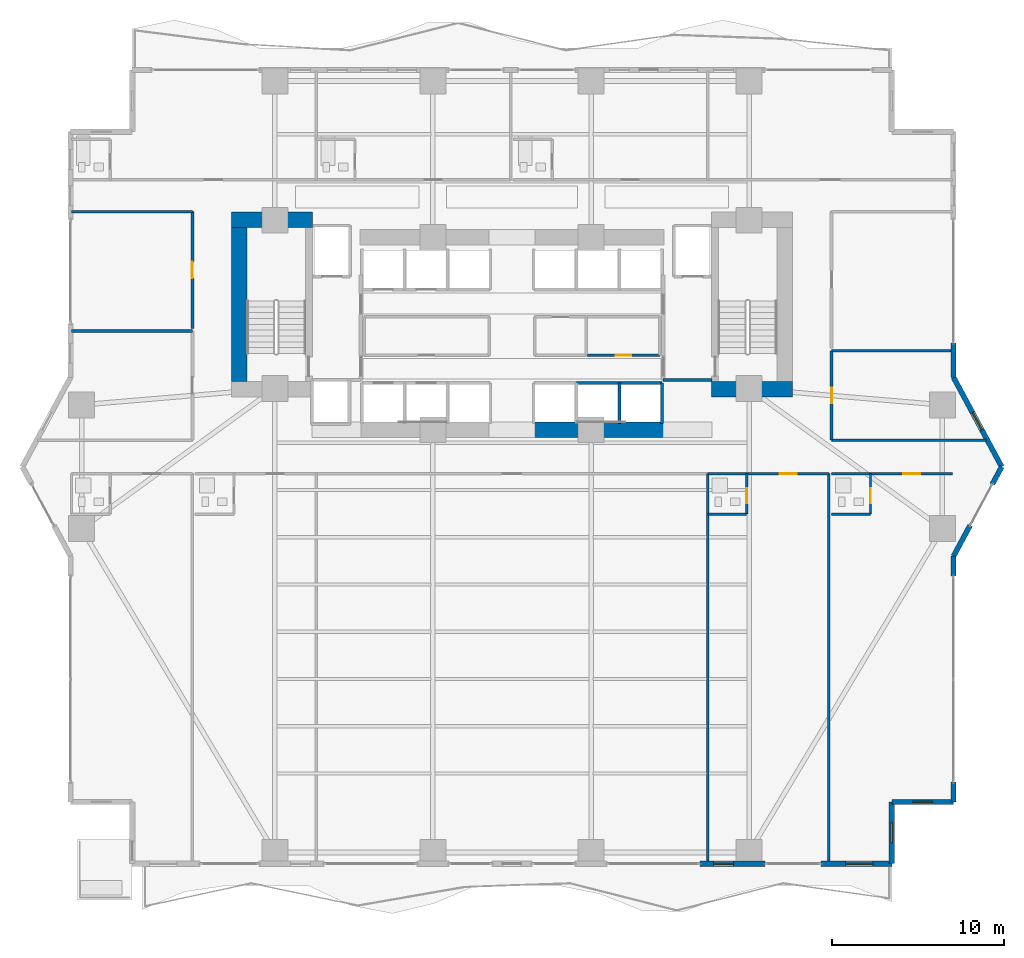
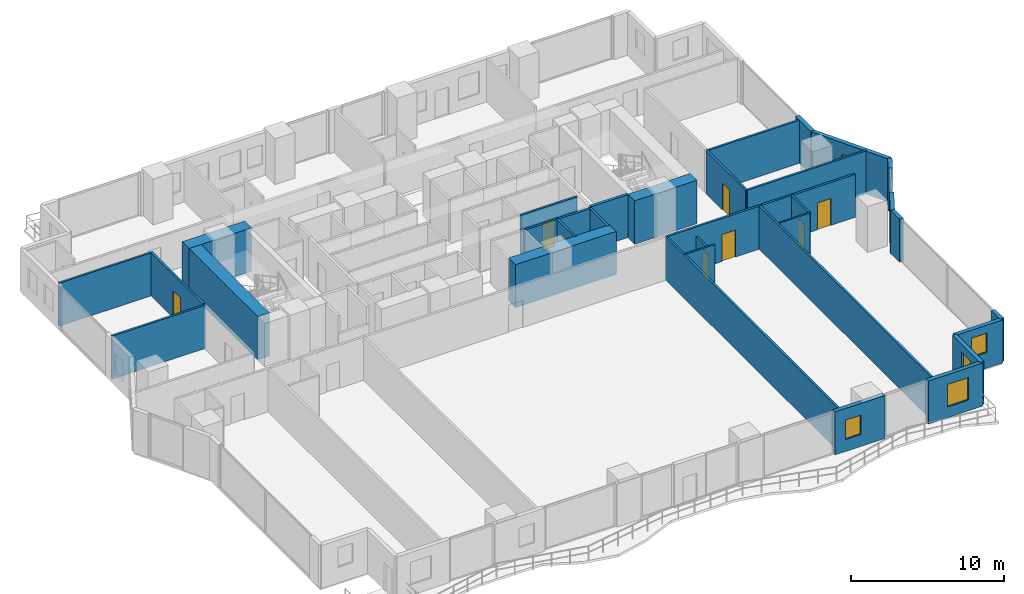
# One storey, part 20 of 28: 34 walls, 7 doors, 5 windows, 12 openings.
"""IFC4 building model written with IfcOpenShell, lengths in metres."""

from ifc_helpers import new_model, si_unit, direction, frame, frame_2d, origin, place, context, subcontext, project, spatial, rectangle, extrude, material, layer, layer_set, type_object, element, fill, save


model = new_model("IFC4")

# Units and contexts
model_context = context("Model", 3, precision=1e-05, world=origin(), true_north=direction((0.0, 1.0)))
body_context = subcontext(model_context, "Body", "Model", "MODEL_VIEW")
ifc_project = project(units=[si_unit("LENGTHUNIT", "METRE"), si_unit("AREAUNIT", "SQUARE_METRE"), si_unit("VOLUMEUNIT", "CUBIC_METRE"), si_unit("PLANEANGLEUNIT", "RADIAN"), si_unit("MASSUNIT", "GRAM", prefix="KILO")], contexts=[model_context])

# Site, building, storey
site_placement = place(None, origin())
site = spatial("IfcSite", under=ifc_project, at=site_placement, CompositionType="ELEMENT")
building_placement = place(site_placement, origin())
building = spatial("IfcBuilding", under=site, at=building_placement, Name="Zuhayl Quay Hotel", CompositionType="ELEMENT")
storey_placement = place(building_placement, frame((0.0, 0.0, 75.050048828125)))
storey = spatial("IfcBuildingStorey", under=building, at=storey_placement, Name="L18", CompositionType="ELEMENT", Elevation=75.050048828125)

# Walls
ifc_material_1 = material(Name="Concrete C70/85", Category="concrete")
ifc_layer_1 = layer(ifc_material_1, 0.89990234375, Name="Concrete C70/85", Category="concrete")
ifc_layer_set_1 = layer_set([ifc_layer_1], Name="Concrete C70/85")
wall_type_1 = type_object("IfcWallType", Name="WL_CORE_900", PredefinedType="SHEAR", material=ifc_layer_set_1)
wall_1_placement = place(storey_placement, frame((-16.31005859375, 14.3798828125, 0.0), z_axis=(0.0, 0.0, 1.0), x_axis=(1.0, 0.0, 0.0)))
element("IfcWall", 1, at=wall_1_placement, inside=storey, type_object=wall_type_1, Name="L18 Core Shear Wall CW_NW", PredefinedType="SHEAR", context=body_context, shape_type="SweptSolid", body=[
    extrude(rectangle(XDim=4.7099609375, YDim=0.89990234375, at=frame_2d((2.35498046875, 0.0))), origin(), (0.0, 0.0, 1.0), 3.4599609375),
])
wall_2_placement = place(storey_placement, frame((-15.860107421875, 4.969970703125, 0.0), z_axis=(0.0, 0.0, 1.0), x_axis=(0.0, 1.0, 0.0)))
element("IfcWall", 2, at=wall_2_placement, inside=storey, type_object=wall_type_1, Name="L18 Core Shear Wall CW_W", PredefinedType="SHEAR", context=body_context, shape_type="SweptSolid", body=[
    extrude(rectangle(XDim=8.9599609375, YDim=0.89990234375, at=frame_2d((4.47998046875, 0.0))), origin(), (0.0, 0.0, 1.0), 3.4599609375),
])
wall_3_placement = place(storey_placement, frame((11.60009765625, 4.52001953125, 0.0), z_axis=(0.0, 0.0, 1.0), x_axis=(1.0, 0.0, 0.0)))
element("IfcWall", 3, at=wall_3_placement, inside=storey, type_object=wall_type_1, Name="L18 Core Shear Wall CW_SE", PredefinedType="SHEAR", context=body_context, shape_type="SweptSolid", body=[
    extrude(rectangle(XDim=4.7099609375, YDim=0.89990234375, at=frame_2d((2.35498046875, 0.0))), origin(), (0.0, 0.0, 1.0), 3.4599609375),
])
wall_4_placement = place(storey_placement, frame((1.25, 2.14990234375, 0.0), z_axis=(0.0, 0.0, 1.0), x_axis=(1.0, 0.0, 0.0)))
element("IfcWall", 4, at=wall_4_placement, inside=storey, type_object=wall_type_1, Name="L18 Core Shear Wall CW_SC_E", PredefinedType="SHEAR", context=body_context, shape_type="SweptSolid", body=[
    extrude(rectangle(XDim=7.60009765625, YDim=0.89990234375, at=frame_2d((3.800048828125, 0.0))), origin(), (0.0, 0.0, 1.0), 3.429931640625),
])
ifc_material_2 = material(Name="Precast concrete C45/55", Category="concrete")
ifc_layer_2 = layer(ifc_material_2, 0.300048828125, Name="Precast concrete C45/55", Category="concrete")
ifc_layer_set_2 = layer_set([ifc_layer_2], Name="Precast concrete C45/55")
wall_type_2 = type_object("IfcWallType", Name="WL_EXT_300", PredefinedType="STANDARD", material=ifc_layer_set_2)
wall_5_placement = place(storey_placement, frame((25.699951171875, 7.199951171875, 0.0), z_axis=(0.0, 0.0, 1.0), x_axis=(0.0, -1.0, 0.0)))
element("IfcWall", 5, at=wall_5_placement, inside=storey, type_object=wall_type_2, Name="L18 Exterior Precast Wall ENV_L18_E11_EW2", PredefinedType="STANDARD", context=body_context, shape_type="SweptSolid", body=[
    extrude(rectangle(XDim=2.0, YDim=0.300048828125, at=frame_2d((1.0, 0.0))), origin(), (0.0, 0.0, 1.0), 3.429931640625),
])

# Wall, opening, window
wall_6_placement = place(storey_placement, frame((25.699951171875, 5.199951171875, 0.0), z_axis=(0.0, 0.0, 1.0), x_axis=(0.474109683532, -0.880465790352, 0.0)))
wall_6 = element("IfcWall", 6, at=wall_6_placement, inside=storey, type_object=wall_type_2, Name="L18 Exterior Precast Wall ENV_L18_E12_EW1", PredefinedType="STANDARD", context=body_context, shape_type="SweptSolid", body=[
    extrude(rectangle(XDim=5.906005859375, YDim=0.300048828125, at=frame_2d((2.953125, 0.0))), origin(), (0.0, 0.0, 1.0), 3.429931640625),
])
opening_1_placement = place(wall_6_placement, frame((2.32373046875, 0.0, 0.949951171875)))
opening_1 = element("IfcOpeningElement", 7, at=opening_1_placement, cuts=wall_6, Name="Opening W01N", PredefinedType="OPENING", context=body_context, shape_type="SweptSolid", body=[
    extrude(rectangle(XDim=1.14990234375, YDim=1.550048828125, at=frame_2d((0.574951171875, 0.77490234375))), frame((0.0, 0.159912109375, 0.0), z_axis=(0.0, -1.0, 0.0), x_axis=(1.0, 0.0, 0.0)), (0.0, 0.0, 1.0), 0.320068359375),
])
ifc_material_3 = material(Name="Dark Ceramic-Fritted Solar Glass", Category="glass")
window_type_1 = type_object("IfcWindowType", Name="WN_NOTCH_1350", PartitioningType="SINGLE_PANEL", PredefinedType="WINDOW", material=ifc_material_3)
window_1_placement = place(opening_1_placement, origin())
window_1 = element("IfcWindow", 8, at=window_1_placement, inside=storey, type_object=window_type_1, Name="L18 Operable Facade Window 1-1", OverallHeight=1.550048828125, OverallWidth=1.14990234375, PartitioningType="SINGLE_PANEL", PredefinedType="WINDOW", context=body_context, shape_type="SweptSolid", body=[
    extrude(rectangle(XDim=1.14990234375, YDim=1.550048828125, at=frame_2d((0.574951171875, 0.77490234375))), frame((0.0, 0.030029296875, 0.0), z_axis=(0.0, -1.0, 0.0), x_axis=(1.0, 0.0, 0.0)), (0.0, 0.0, 1.0), 0.06005859375),
])
fill(opening_1, window_1)

# Walls
wall_7_placement = place(storey_placement, frame((28.5, 0.0, 0.0), z_axis=(0.0, 0.0, 1.0), x_axis=(-0.474099823035, -0.880471099922, 0.0)))
element("IfcWall", 9, at=wall_7_placement, inside=storey, type_object=wall_type_2, Name="L18 Exterior Precast Wall ENV_L18_E13_EW1", PredefinedType="STANDARD", context=body_context, shape_type="SweptSolid", body=[
    extrude(rectangle(XDim=1.14990234375, YDim=0.300048828125, at=frame_2d((0.574951171875, 0.0))), origin(), (0.0, 0.0, 1.0), 3.429931640625),
])
wall_8_placement = place(storey_placement, frame((26.657958984375, -3.4208984375, 0.0), z_axis=(0.0, 0.0, 1.0), x_axis=(-0.474121438562, -0.88045946045, 0.0)))
element("IfcWall", 10, at=wall_8_placement, inside=storey, type_object=wall_type_2, Name="L18 Exterior Precast Wall ENV_L18_E13_EW2", PredefinedType="STANDARD", context=body_context, shape_type="SweptSolid", body=[
    extrude(rectangle(XDim=2.0205078125, YDim=0.300048828125, at=frame_2d((1.01025390625, 0.0))), origin(), (0.0, 0.0, 1.0), 3.429931640625),
])
wall_9_placement = place(storey_placement, frame((25.699951171875, -5.199951171875, 0.0), z_axis=(0.0, 0.0, 1.0), x_axis=(0.0, -1.0, 0.0)))
element("IfcWall", 11, at=wall_9_placement, inside=storey, type_object=wall_type_2, Name="L18 Exterior Precast Wall ENV_L18_E14_EW1", PredefinedType="STANDARD", context=body_context, shape_type="SweptSolid", body=[
    extrude(rectangle(XDim=1.150146484375, YDim=0.300048828125, at=frame_2d((0.5751953125, 0.0))), origin(), (0.0, 0.0, 1.0), 3.429931640625),
])
wall_10_placement = place(storey_placement, frame((25.699951171875, -18.35009765625, 0.0), z_axis=(0.0, 0.0, 1.0), x_axis=(0.0, -1.0, 0.0)))
element("IfcWall", 12, at=wall_10_placement, inside=storey, type_object=wall_type_2, Name="L18 Exterior Precast Wall ENV_L18_E14_EW2", PredefinedType="STANDARD", context=body_context, shape_type="SweptSolid", body=[
    extrude(rectangle(XDim=1.14990234375, YDim=0.300048828125, at=frame_2d((0.574951171875, 0.0))), origin(), (0.0, 0.0, 1.0), 3.429931640625),
])

# Wall, opening, window
wall_11_placement = place(storey_placement, frame((25.699951171875, -19.5, 0.0), z_axis=(0.0, 0.0, 1.0), x_axis=(-1.0, 0.0, 0.0)))
wall_11 = element("IfcWall", 13, at=wall_11_placement, inside=storey, type_object=wall_type_2, Name="L18 Exterior Precast Wall ENV_L18_EW15", PredefinedType="STANDARD", context=body_context, shape_type="SweptSolid", body=[
    extrude(rectangle(XDim=3.599853515625, YDim=0.300048828125, at=frame_2d((1.7998046875, 0.0))), origin(), (0.0, 0.0, 1.0), 3.429931640625),
])
opening_2_placement = place(wall_11_placement, frame((1.22509765625, 0.0, 1.25)))
opening_2 = element("IfcOpeningElement", 14, at=opening_2_placement, cuts=wall_11, Name="Opening W01N", PredefinedType="OPENING", context=body_context, shape_type="SweptSolid", body=[
    extrude(rectangle(XDim=1.14990234375, YDim=1.550048828125, at=frame_2d((0.574951171875, 0.77490234375))), frame((0.0, 0.159912109375, 0.0), z_axis=(0.0, -1.0, 0.0), x_axis=(1.0, 0.0, 0.0)), (0.0, 0.0, 1.0), 0.320068359375),
])
window_2_placement = place(opening_2_placement, origin())
window_2 = element("IfcWindow", 15, at=window_2_placement, inside=storey, type_object=window_type_1, Name="L18 Corner Notch Window 15", OverallHeight=1.550048828125, OverallWidth=1.14990234375, PartitioningType="SINGLE_PANEL", PredefinedType="WINDOW", context=body_context, shape_type="SweptSolid", body=[
    extrude(rectangle(XDim=1.14990234375, YDim=1.550048828125, at=frame_2d((0.574951171875, 0.77490234375))), frame((0.0, 0.030029296875, 0.0), z_axis=(0.0, -1.0, 0.0), x_axis=(1.0, 0.0, 0.0)), (0.0, 0.0, 1.0), 0.06005859375),
])
fill(opening_2, window_2)

wall_12_placement = place(storey_placement, frame((22.10009765625, -19.5, 0.0), z_axis=(0.0, 0.0, 1.0), x_axis=(0.0, -1.0, 0.0)))
wall_12 = element("IfcWall", 16, at=wall_12_placement, inside=storey, type_object=wall_type_2, Name="L18 Exterior Precast Wall ENV_L18_EW16", PredefinedType="STANDARD", context=body_context, shape_type="SweptSolid", body=[
    extrude(rectangle(XDim=3.60009765625, YDim=0.300048828125, at=frame_2d((1.800048828125, 0.0))), origin(), (0.0, 0.0, 1.0), 3.429931640625),
])
opening_3_placement = place(wall_12_placement, frame((1.22509765625, 0.0, 1.25)))
opening_3 = element("IfcOpeningElement", 17, at=opening_3_placement, cuts=wall_12, Name="Opening W01N", PredefinedType="OPENING", context=body_context, shape_type="SweptSolid", body=[
    extrude(rectangle(XDim=1.14990234375, YDim=1.550048828125, at=frame_2d((0.574951171875, 0.77490234375))), frame((0.0, 0.159912109375, 0.0), z_axis=(0.0, -1.0, 0.0), x_axis=(1.0, 0.0, 0.0)), (0.0, 0.0, 1.0), 0.320068359375),
])
window_3_placement = place(opening_3_placement, origin())
window_3 = element("IfcWindow", 18, at=window_3_placement, inside=storey, type_object=window_type_1, Name="L18 Corner Notch Window 16", OverallHeight=1.550048828125, OverallWidth=1.14990234375, PartitioningType="SINGLE_PANEL", PredefinedType="WINDOW", context=body_context, shape_type="SweptSolid", body=[
    extrude(rectangle(XDim=1.14990234375, YDim=1.550048828125, at=frame_2d((0.574951171875, 0.77490234375))), frame((0.0, 0.030029296875, 0.0), z_axis=(0.0, -1.0, 0.0), x_axis=(1.0, 0.0, 0.0)), (0.0, 0.0, 1.0), 0.06005859375),
])
fill(opening_3, window_3)

wall_13_placement = place(storey_placement, frame((22.10009765625, -23.10009765625, 0.0), z_axis=(0.0, 0.0, 1.0), x_axis=(-1.0, 0.0, 0.0)))
wall_13 = element("IfcWall", 19, at=wall_13_placement, inside=storey, type_object=wall_type_2, Name="L18 Exterior Precast Wall ENV_L18_S_EW1", PredefinedType="STANDARD", context=body_context, shape_type="SweptSolid", body=[
    extrude(rectangle(XDim=4.110107421875, YDim=0.300048828125, at=frame_2d((2.05517578125, 0.0))), origin(), (0.0, 0.0, 1.0), 3.429931640625),
])
opening_4_placement = place(wall_13_placement, frame((1.090087890625, 0.0, 0.85009765625)))
opening_4 = element("IfcOpeningElement", 20, at=opening_4_placement, cuts=wall_13, Name="Opening W01", PredefinedType="OPENING", context=body_context, shape_type="SweptSolid", body=[
    extrude(rectangle(XDim=1.60009765625, YDim=1.800048828125, at=frame_2d((0.800048828125, 0.89990234375))), frame((0.0, 0.159912109375, 0.0), z_axis=(0.0, -1.0, 0.0), x_axis=(1.0, 0.0, 0.0)), (0.0, 0.0, 1.0), 0.320068359375),
])
window_type_2 = type_object("IfcWindowType", Name="WN_OPERABLE_1600", PartitioningType="DOUBLE_PANEL_VERTICAL", PredefinedType="WINDOW", material=ifc_material_3)
window_4_placement = place(opening_4_placement, origin())
window_4 = element("IfcWindow", 21, at=window_4_placement, inside=storey, type_object=window_type_2, Name="L18 Operable Facade Window 1-1", OverallHeight=1.800048828125, OverallWidth=1.60009765625, PartitioningType="SINGLE_PANEL", PredefinedType="WINDOW", context=body_context, shape_type="SweptSolid", body=[
    extrude(rectangle(XDim=1.60009765625, YDim=1.800048828125, at=frame_2d((0.800048828125, 0.89990234375))), frame((0.0, 0.030029296875, 0.0), z_axis=(0.0, -1.0, 0.0), x_axis=(1.0, 0.0, 0.0)), (0.0, 0.0, 1.0), 0.06005859375),
])
fill(opening_4, window_4)

wall_14_placement = place(storey_placement, frame((14.719970703125, -23.10009765625, 0.0), z_axis=(0.0, 0.0, 1.0), x_axis=(-1.0, 0.0, 0.0)))
wall_14 = element("IfcWall", 22, at=wall_14_placement, inside=storey, type_object=wall_type_2, Name="L18 Exterior Precast Wall ENV_L18_S_EW2", PredefinedType="STANDARD", context=body_context, shape_type="SweptSolid", body=[
    extrude(rectangle(XDim=3.77001953125, YDim=0.300048828125, at=frame_2d((1.885009765625, 0.0))), origin(), (0.0, 0.0, 1.0), 3.429931640625),
])
opening_5_placement = place(wall_14_placement, frame((1.8349609375, 0.0, 0.949951171875)))
opening_5 = element("IfcOpeningElement", 23, at=opening_5_placement, cuts=wall_14, Name="Opening W01N", PredefinedType="OPENING", context=body_context, shape_type="SweptSolid", body=[
    extrude(rectangle(XDim=1.14990234375, YDim=1.550048828125, at=frame_2d((0.574951171875, 0.77490234375))), frame((0.0, 0.159912109375, 0.0), z_axis=(0.0, -1.0, 0.0), x_axis=(1.0, 0.0, 0.0)), (0.0, 0.0, 1.0), 0.320068359375),
])
window_5_placement = place(opening_5_placement, origin())
window_5 = element("IfcWindow", 24, at=window_5_placement, inside=storey, type_object=window_type_1, Name="L18 Operable Facade Window 2-1", OverallHeight=1.550048828125, OverallWidth=1.14990234375, PartitioningType="SINGLE_PANEL", PredefinedType="WINDOW", context=body_context, shape_type="SweptSolid", body=[
    extrude(rectangle(XDim=1.14990234375, YDim=1.550048828125, at=frame_2d((0.574951171875, 0.77490234375))), frame((0.0, 0.030029296875, 0.0), z_axis=(0.0, -1.0, 0.0), x_axis=(1.0, 0.0, 0.0)), (0.0, 0.0, 1.0), 0.06005859375),
])
fill(opening_5, window_5)

# Wall, opening, door
ifc_material_4 = material(Name="Acoustic Gypsum Partition STC-58")
ifc_layer_3 = layer(ifc_material_4, 0.14990234375, Name="Acoustic Gypsum Partition STC-58")
ifc_layer_set_3 = layer_set([ifc_layer_3], Name="Acoustic Gypsum Partition STC-58")
wall_type_3 = type_object("IfcWallType", Name="WL_PART_150", PredefinedType="PARTITIONING", material=ifc_layer_set_3)
wall_15_placement = place(storey_placement, frame((4.3701171875, 6.47998046875, 0.0), z_axis=(0.0, 0.0, 1.0), x_axis=(1.0, 0.0, 0.0)))
wall_15 = element("IfcWall", 25, at=wall_15_placement, inside=storey, type_object=wall_type_3, Name="L18 Partition IW_L18_CORE_LN_S", PredefinedType="PARTITIONING", context=body_context, shape_type="SweptSolid", body=[
    extrude(rectangle(XDim=4.239990234375, YDim=0.14990234375, at=frame_2d((2.1201171875, 0.0))), origin(), (0.0, 0.0, 1.0), 3.429931640625),
])
opening_6_placement = place(wall_15_placement, frame((1.669921875, 0.0, 0.0)))
opening_6 = element("IfcOpeningElement", 26, at=opening_6_placement, cuts=wall_15, Name="Opening D06", PredefinedType="OPENING", context=body_context, shape_type="SweptSolid", body=[
    extrude(rectangle(XDim=0.89990234375, YDim=2.14990234375, at=frame_2d((0.449951171875, 1.074951171875))), frame((0.0, 0.0849609375, 0.0), z_axis=(0.0, -1.0, 0.0), x_axis=(1.0, 0.0, 0.0)), (0.0, 0.0, 1.0), 0.169921875),
])
ifc_material_5 = material(Name="Steel ASTM A992 Grade 50", Category="steel")
door_type_1 = type_object("IfcDoorType", Name="DR_INT_900", OperationType="NOTDEFINED", PredefinedType="DOOR", material=ifc_material_5)
door_1_placement = place(opening_6_placement, origin())
door_1 = element("IfcDoor", 27, at=door_1_placement, inside=storey, type_object=door_type_1, Name="L18 Core Linen Store Door", OperationType="SINGLE_SWING_LEFT", OverallHeight=2.14990234375, OverallWidth=0.89990234375, PredefinedType="DOOR", context=body_context, shape_type="SweptSolid", body=[
    extrude(rectangle(XDim=0.89990234375, YDim=2.14990234375, at=frame_2d((0.449951171875, 1.074951171875))), frame((0.0, 0.02490234375, 0.0), z_axis=(0.0, -1.0, 0.0), x_axis=(1.0, 0.0, 0.0)), (0.0, 0.0, 1.0), 0.050048828125),
])
fill(opening_6, door_1)

# Walls
wall_16_placement = place(storey_placement, frame((11.39990234375, -23.0400390625, 0.0), z_axis=(0.0, 0.0, 1.0), x_axis=(0.0, 1.0, 0.0)))
element("IfcWall", 28, at=wall_16_placement, inside=storey, type_object=wall_type_3, Name="L18 Partition IW_L18_SSAL_1_E", PredefinedType="PARTITIONING", context=body_context, shape_type="SweptSolid", body=[
    extrude(rectangle(XDim=22.64013671875, YDim=0.14990234375, at=frame_2d((11.320068359375, 0.0))), origin(), (0.0, 0.0, 1.0), 3.429931640625),
])
wall_17_placement = place(storey_placement, frame((18.43994140625, -23.02001953125, 0.0), z_axis=(0.0, 0.0, 1.0), x_axis=(0.0, 1.0, 0.0)))
element("IfcWall", 29, at=wall_17_placement, inside=storey, type_object=wall_type_3, Name="L18 Partition IW_L18_SU03A_E", PredefinedType="PARTITIONING", context=body_context, shape_type="SweptSolid", body=[
    extrude(rectangle(XDim=22.6201171875, YDim=0.14990234375, at=frame_2d((11.31005859375, 0.0))), origin(), (0.0, 0.0, 1.0), 3.429931640625),
])
wall_18_placement = place(storey_placement, frame((18.60009765625, 1.550048828125, 0.0), z_axis=(0.0, 0.0, 1.0), x_axis=(1.0, 0.0, 0.0)))
element("IfcWall", 30, at=wall_18_placement, inside=storey, type_object=wall_type_3, Name="L18 Partition IW_L18_HK_MAIN_S", PredefinedType="PARTITIONING", context=body_context, shape_type="SweptSolid", body=[
    extrude(rectangle(XDim=9.00537109375, YDim=0.14990234375, at=frame_2d((4.502685546875, 0.0))), origin(), (0.0, 0.0, 1.0), 3.429931640625),
])
for number, where, z_axis, x_axis, name in (
    (31, (18.60009765625, 6.75, 0.0), (0.0, 0.0, 1.0), (1.0, 0.0, 0.0), "L18 Partition IW_L18_HK_MAIN_N"),
    (32, (-25.639892578125, 7.89990234375, 0.0), (0.0, 0.0, 1.0), (1.0, 0.0, 0.0), "L18 Partition IW_L18_WPROW_1_N"),
    (33, (-25.639892578125, 14.85009765625, 0.0), (0.0, 0.0, 1.0), (1.0, 0.0, 0.0), "L18 Partition IW_L18_WPROW_2_N"),
):
    element("IfcWall", number, at=place(storey_placement, frame(where, z_axis=z_axis, x_axis=x_axis)), inside=storey, type_object=wall_type_3, Name=name, PredefinedType="PARTITIONING", context=body_context, shape_type="SweptSolid", body=[
        extrude(rectangle(XDim=7.039794921875, YDim=0.14990234375, at=frame_2d((3.52001953125, 0.0))), origin(), (0.0, 0.0, 1.0), 3.429931640625),
    ])

# Wall, opening, door
ifc_layer_4 = layer(ifc_material_4, 0.159912109375, Name="Acoustic Gypsum Partition STC-58")
ifc_layer_set_4 = layer_set([ifc_layer_4], Name="Acoustic Gypsum Partition STC-58")
wall_type_4 = type_object("IfcWallType", Name="WL_PART_CORR_160", PredefinedType="PARTITIONING", material=ifc_layer_set_4)
wall_19_placement = place(storey_placement, frame((11.39990234375, -0.39990234375, 0.0), z_axis=(0.0, 0.0, 1.0), x_axis=(1.0, 0.0, 0.0)))
wall_19 = element("IfcWall", 34, at=wall_19_placement, inside=storey, type_object=wall_type_4, Name="L18 Partition IW_L18_SU03A_COR", PredefinedType="PARTITIONING", context=body_context, shape_type="SweptSolid", body=[
    extrude(rectangle(XDim=7.0400390625, YDim=0.159912109375, at=frame_2d((3.52001953125, 0.0))), origin(), (0.0, 0.0, 1.0), 3.429931640625),
])
opening_7_placement = place(wall_19_placement, frame((4.169921875, 0.0, 0.0)))
opening_7 = element("IfcOpeningElement", 35, at=opening_7_placement, cuts=wall_19, Name="Opening D03L", PredefinedType="OPENING", context=body_context, shape_type="SweptSolid", body=[
    extrude(rectangle(XDim=1.0, YDim=2.14990234375, at=frame_2d((0.5, 1.074951171875))), frame((0.0, 0.08984375, 0.0), z_axis=(0.0, -1.0, 0.0), x_axis=(1.0, 0.0, 0.0)), (0.0, 0.0, 1.0), 0.179931640625),
])
ifc_material_6 = material(Name="Solid Walnut Acoustic Fire Door")
door_type_2 = type_object("IfcDoorType", Name="DR_SUITE_1000", OperationType="NOTDEFINED", PredefinedType="DOOR", material=ifc_material_6)
door_2_placement = place(opening_7_placement, origin())
door_2 = element("IfcDoor", 36, at=door_2_placement, inside=storey, type_object=door_type_2, Name="L18 City-View Junior Suite L18-03A Entrance Door", OperationType="SINGLE_SWING_LEFT", OverallHeight=2.14990234375, OverallWidth=1.0, PredefinedType="DOOR", context=body_context, shape_type="SweptSolid", body=[
    extrude(rectangle(XDim=1.0, YDim=2.14990234375, at=frame_2d((0.5, 1.074951171875))), frame((0.0, 0.02490234375, 0.0), z_axis=(0.0, -1.0, 0.0), x_axis=(1.0, 0.0, 0.0)), (0.0, 0.0, 1.0), 0.050048828125),
])
fill(opening_7, door_2)

wall_20_placement = place(storey_placement, frame((18.60009765625, -0.39990234375, 0.0), z_axis=(0.0, 0.0, 1.0), x_axis=(1.0, 0.0, 0.0)))
wall_20 = element("IfcWall", 37, at=wall_20_placement, inside=storey, type_object=wall_type_4, Name="L18 Partition IW_L18_SU03B_COR", PredefinedType="PARTITIONING", context=body_context, shape_type="SweptSolid", body=[
    extrude(rectangle(XDim=7.039794921875, YDim=0.159912109375, at=frame_2d((3.52001953125, 0.0))), origin(), (0.0, 0.0, 1.0), 3.429931640625),
])
opening_8_placement = place(wall_20_placement, frame((4.169921875, 0.0, 0.0)))
opening_8 = element("IfcOpeningElement", 38, at=opening_8_placement, cuts=wall_20, Name="Opening D03L", PredefinedType="OPENING", context=body_context, shape_type="SweptSolid", body=[
    extrude(rectangle(XDim=1.0, YDim=2.14990234375, at=frame_2d((0.5, 1.074951171875))), frame((0.0, 0.08984375, 0.0), z_axis=(0.0, -1.0, 0.0), x_axis=(1.0, 0.0, 0.0)), (0.0, 0.0, 1.0), 0.179931640625),
])
door_3_placement = place(opening_8_placement, origin())
door_3 = element("IfcDoor", 39, at=door_3_placement, inside=storey, type_object=door_type_2, Name="L18 City-View Junior Suite L18-03B Entrance Door", OperationType="SINGLE_SWING_LEFT", OverallHeight=2.14990234375, OverallWidth=1.0, PredefinedType="DOOR", context=body_context, shape_type="SweptSolid", body=[
    extrude(rectangle(XDim=1.0, YDim=2.14990234375, at=frame_2d((0.5, 1.074951171875))), frame((0.0, 0.02490234375, 0.0), z_axis=(0.0, -1.0, 0.0), x_axis=(1.0, 0.0, 0.0)), (0.0, 0.0, 1.0), 0.050048828125),
])
fill(opening_8, door_3)

wall_21_placement = place(storey_placement, frame((18.60009765625, 1.550048828125, 0.0), z_axis=(0.0, 0.0, 1.0), x_axis=(0.0, 1.0, 0.0)))
wall_21 = element("IfcWall", 40, at=wall_21_placement, inside=storey, type_object=wall_type_4, Name="L18 Partition IW_L18_HK_MAIN_W", PredefinedType="PARTITIONING", context=body_context, shape_type="SweptSolid", body=[
    extrude(rectangle(XDim=5.199951171875, YDim=0.159912109375, at=frame_2d((2.60009765625, 0.0))), origin(), (0.0, 0.0, 1.0), 3.429931640625),
])
opening_9_placement = place(wall_21_placement, frame((2.139892578125, 0.0, 0.0)))
opening_9 = element("IfcOpeningElement", 41, at=opening_9_placement, cuts=wall_21, Name="Opening D05", PredefinedType="OPENING", context=body_context, shape_type="SweptSolid", body=[
    extrude(rectangle(XDim=0.919921875, YDim=2.1201171875, at=frame_2d((0.4599609375, 1.06005859375))), frame((0.0, 0.08984375, 0.0), z_axis=(0.0, -1.0, 0.0), x_axis=(1.0, 0.0, 0.0)), (0.0, 0.0, 1.0), 0.179931640625),
])
door_type_3 = type_object("IfcDoorType", Name="DR_INT_950", OperationType="NOTDEFINED", PredefinedType="DOOR", material=ifc_material_6)
door_4_placement = place(opening_9_placement, origin())
door_4 = element("IfcDoor", 42, at=door_4_placement, inside=storey, type_object=door_type_3, Name="L18 Housekeeping and Linen Room Door", OperationType="SINGLE_SWING_RIGHT", OverallHeight=2.1201171875, OverallWidth=0.919921875, PredefinedType="DOOR", context=body_context, shape_type="SweptSolid", body=[
    extrude(rectangle(XDim=0.919921875, YDim=2.1201171875, at=frame_2d((0.4599609375, 1.06005859375))), frame((0.0, 0.02490234375, 0.0), z_axis=(0.0, -1.0, 0.0), x_axis=(1.0, 0.0, 0.0)), (0.0, 0.0, 1.0), 0.050048828125),
])
fill(opening_9, door_4)

wall_22_placement = place(storey_placement, frame((-18.60009765625, 8.06005859375, 0.0), z_axis=(0.0, 0.0, 1.0), x_axis=(0.0, 1.0, 0.0)))
wall_22 = element("IfcWall", 43, at=wall_22_placement, inside=storey, type_object=wall_type_4, Name="L18 Partition IW_L18_WPROW_2_E", PredefinedType="PARTITIONING", context=body_context, shape_type="SweptSolid", body=[
    extrude(rectangle(XDim=6.7900390625, YDim=0.159912109375, at=frame_2d((3.39501953125, 0.0))), origin(), (0.0, 0.0, 1.0), 3.429931640625),
])
opening_10_placement = place(wall_22_placement, frame((2.919921875, 0.0, 0.0)))
opening_10 = element("IfcOpeningElement", 44, at=opening_10_placement, cuts=wall_22, Name="Opening D03", PredefinedType="OPENING", context=body_context, shape_type="SweptSolid", body=[
    extrude(rectangle(XDim=0.949951171875, YDim=2.14990234375, at=frame_2d((0.47509765625, 1.074951171875))), frame((0.0, 0.08984375, 0.0), z_axis=(0.0, -1.0, 0.0), x_axis=(1.0, 0.0, 0.0)), (0.0, 0.0, 1.0), 0.179931640625),
])
door_type_4 = type_object("IfcDoorType", Name="DR_SUITE_950", OperationType="NOTDEFINED", PredefinedType="DOOR", material=ifc_material_6)
door_5_placement = place(opening_10_placement, origin())
door_5 = element("IfcDoor", 45, at=door_5_placement, inside=storey, type_object=door_type_4, Name="L18 Sunset Lounge L18 Door", OperationType="SINGLE_SWING_LEFT", OverallHeight=2.14990234375, OverallWidth=0.949951171875, PredefinedType="DOOR", context=body_context, shape_type="SweptSolid", body=[
    extrude(rectangle(XDim=0.949951171875, YDim=2.14990234375, at=frame_2d((0.47509765625, 1.074951171875))), frame((0.0, 0.02490234375, 0.0), z_axis=(0.0, -1.0, 0.0), x_axis=(1.0, 0.0, 0.0)), (0.0, 0.0, 1.0), 0.050048828125),
])
fill(opening_10, door_5)

ifc_material_7 = material(Name="Moisture-Resistant Sanitarychase Gypsum")
ifc_layer_5 = layer(ifc_material_7, 0.135009765625, Name="Moisture-Resistant Sanitarychase Gypsum")
ifc_layer_set_5 = layer_set([ifc_layer_5], Name="Moisture-Resistant Sanitarychase Gypsum")
wall_type_5 = type_object("IfcWallType", Name="WL_PART_PLUMB_150", PredefinedType="PLUMBINGWALL", material=ifc_layer_set_5)
wall_23_placement = place(storey_placement, frame((13.659912109375, -2.760009765625, 0.0), z_axis=(0.0, 0.0, 1.0), x_axis=(0.0, 1.0, 0.0)))
wall_23 = element("IfcWall", 46, at=wall_23_placement, inside=storey, type_object=wall_type_5, Name="L18 Partition IW_L18_SU03A_BE", PredefinedType="PLUMBINGWALL", context=body_context, shape_type="SweptSolid", body=[
    extrude(rectangle(XDim=2.360107421875, YDim=0.135009765625, at=frame_2d((1.18017578125, 0.0))), origin(), (0.0, 0.0, 1.0), 2.66796875),
])
opening_11_placement = place(wall_23_placement, frame((0.64990234375, 0.0, 0.0)))
opening_11 = element("IfcOpeningElement", 47, at=opening_11_placement, cuts=wall_23, Name="Opening D04", PredefinedType="OPENING", context=body_context, shape_type="SweptSolid", body=[
    extrude(rectangle(XDim=0.85009765625, YDim=2.10009765625, at=frame_2d((0.425048828125, 1.050048828125))), frame((0.0, 0.077392578125, 0.0), z_axis=(0.0, -1.0, 0.0), x_axis=(1.0, 0.0, 0.0)), (0.0, 0.0, 1.0), 0.155029296875),
])
ifc_material_8 = material(Name="Moisture-Resistant Walnut Veneer")
door_type_5 = type_object("IfcDoorType", Name="DR_BATH_850", OperationType="NOTDEFINED", PredefinedType="DOOR", material=ifc_material_8)
door_6_placement = place(opening_11_placement, origin())
door_6 = element("IfcDoor", 48, at=door_6_placement, inside=storey, type_object=door_type_5, Name="L18 City-View Junior Suite L18-03A En-Suite Door", OperationType="SINGLE_SWING_RIGHT", OverallHeight=2.10009765625, OverallWidth=0.85009765625, PredefinedType="DOOR", context=body_context, shape_type="SweptSolid", body=[
    extrude(rectangle(XDim=0.85009765625, YDim=2.10009765625, at=frame_2d((0.425048828125, 1.050048828125))), frame((0.0, 0.02490234375, 0.0), z_axis=(0.0, -1.0, 0.0), x_axis=(1.0, 0.0, 0.0)), (0.0, 0.0, 1.0), 0.050048828125),
])
fill(opening_11, door_6)

wall_24_placement = place(storey_placement, frame((20.860107421875, -2.760009765625, 0.0), z_axis=(0.0, 0.0, 1.0), x_axis=(0.0, 1.0, 0.0)))
wall_24 = element("IfcWall", 49, at=wall_24_placement, inside=storey, type_object=wall_type_5, Name="L18 Partition IW_L18_SU03B_BE", PredefinedType="PLUMBINGWALL", context=body_context, shape_type="SweptSolid", body=[
    extrude(rectangle(XDim=2.360107421875, YDim=0.135009765625, at=frame_2d((1.18017578125, 0.0))), origin(), (0.0, 0.0, 1.0), 3.429931640625),
])
opening_12_placement = place(wall_24_placement, frame((0.64990234375, 0.0, 0.0)))
opening_12 = element("IfcOpeningElement", 50, at=opening_12_placement, cuts=wall_24, Name="Opening D04", PredefinedType="OPENING", context=body_context, shape_type="SweptSolid", body=[
    extrude(rectangle(XDim=0.85009765625, YDim=2.10009765625, at=frame_2d((0.425048828125, 1.050048828125))), frame((0.0, 0.077392578125, 0.0), z_axis=(0.0, -1.0, 0.0), x_axis=(1.0, 0.0, 0.0)), (0.0, 0.0, 1.0), 0.155029296875),
])
door_7_placement = place(opening_12_placement, origin())
door_7 = element("IfcDoor", 51, at=door_7_placement, inside=storey, type_object=door_type_5, Name="L18 City-View Junior Suite L18-03B En-Suite Door", OperationType="SINGLE_SWING_RIGHT", OverallHeight=2.10009765625, OverallWidth=0.85009765625, PredefinedType="DOOR", context=body_context, shape_type="SweptSolid", body=[
    extrude(rectangle(XDim=0.85009765625, YDim=2.10009765625, at=frame_2d((0.425048828125, 1.050048828125))), frame((0.0, 0.02490234375, 0.0), z_axis=(0.0, -1.0, 0.0), x_axis=(1.0, 0.0, 0.0)), (0.0, 0.0, 1.0), 0.050048828125),
])
fill(opening_12, door_7)

# Walls
for number, where, z_axis, x_axis, name in (
    (52, (11.39990234375, -2.760009765625, 0.0), (0.0, 0.0, 1.0), (1.0, 0.0, 0.0), "L18 Partition IW_L18_SU03A_BS"),
    (53, (18.60009765625, -2.760009765625, 0.0), (0.0, 0.0, 1.0), (1.0, 0.0, 0.0), "L18 Partition IW_L18_SU03B_BS"),
):
    element("IfcWall", number, at=place(storey_placement, frame(where, z_axis=z_axis, x_axis=x_axis)), inside=storey, type_object=wall_type_5, Name=name, PredefinedType="PLUMBINGWALL", context=body_context, shape_type="SweptSolid", body=[
        extrude(rectangle(XDim=2.260009765625, YDim=0.135009765625, at=frame_2d((1.1298828125, 0.0))), origin(), (0.0, 0.0, 1.0), 3.429931640625),
    ])
ifc_material_9 = material(Name="Gypsum Fireboard Assembly EI-90")
ifc_layer_6 = layer(ifc_material_9, 0.1650390625, Name="Gypsum Fireboard Assembly EI-90")
ifc_layer_set_6 = layer_set([ifc_layer_6], Name="Gypsum Fireboard Assembly EI-90")
wall_type_6 = type_object("IfcWallType", Name="WL_PART_SHAFT_160", PredefinedType="PARTITIONING", material=ifc_layer_set_6)
wall_25_placement = place(storey_placement, frame((3.75, 4.8798828125, 0.0), z_axis=(0.0, 0.0, 1.0), x_axis=(1.0, 0.0, 0.0)))
element("IfcWall", 54, at=wall_25_placement, inside=storey, type_object=wall_type_6, Name="L18 Partition IW_L18_SH_HP1_F", PredefinedType="PARTITIONING", context=body_context, shape_type="SweptSolid", body=[
    extrude(rectangle(XDim=2.5, YDim=0.1650390625, at=frame_2d((1.25, 0.0))), origin(), (0.0, 0.0, 1.0), 3.429931640625),
])
wall_26_placement = place(storey_placement, frame((6.25, 2.52001953125, 0.0), z_axis=(0.0, 0.0, 1.0), x_axis=(0.0, 1.0, 0.0)))
element("IfcWall", 55, at=wall_26_placement, inside=storey, type_object=wall_type_6, Name="L18 Partition IW_L18_SH_HP1_E", PredefinedType="PARTITIONING", context=body_context, shape_type="SweptSolid", body=[
    extrude(rectangle(XDim=2.35986328125, YDim=0.1650390625, at=frame_2d((1.179931640625, 0.0))), origin(), (0.0, 0.0, 1.0), 3.429931640625),
])
wall_27_placement = place(storey_placement, frame((6.25, 4.8798828125, 0.0), z_axis=(0.0, 0.0, 1.0), x_axis=(1.0, 0.0, 0.0)))
element("IfcWall", 56, at=wall_27_placement, inside=storey, type_object=wall_type_6, Name="L18 Partition IW_L18_SH_HP2_F", PredefinedType="PARTITIONING", context=body_context, shape_type="SweptSolid", body=[
    extrude(rectangle(XDim=2.47998046875, YDim=0.1650390625, at=frame_2d((1.239990234375, 0.0))), origin(), (0.0, 0.0, 1.0), 3.429931640625),
])
wall_28_placement = place(storey_placement, frame((8.72998046875, 2.52001953125, 0.0), z_axis=(0.0, 0.0, 1.0), x_axis=(0.0, 1.0, 0.0)))
element("IfcWall", 57, at=wall_28_placement, inside=storey, type_object=wall_type_6, Name="L18 Partition IW_L18_SH_HP2_E", PredefinedType="PARTITIONING", context=body_context, shape_type="SweptSolid", body=[
    extrude(rectangle(XDim=2.35986328125, YDim=0.1650390625, at=frame_2d((1.179931640625, 0.0))), origin(), (0.0, 0.0, 1.0), 3.429931640625),
])
ifc_material_10 = material(Name="Gypsum Fireboard Assembly EI-120")
ifc_layer_7 = layer(ifc_material_10, 0.199951171875, Name="Gypsum Fireboard Assembly EI-120")
ifc_layer_set_7 = layer_set([ifc_layer_7], Name="Gypsum Fireboard Assembly EI-120")
wall_type_7 = type_object("IfcWallType", Name="WL_PART_SHAFT_200", PredefinedType="PARTITIONING", material=ifc_layer_set_7)
wall_29_placement = place(storey_placement, frame((8.800048828125, 5.050048828125, 0.0), z_axis=(0.0, 0.0, 1.0), x_axis=(1.0, 0.0, 0.0)))
element("IfcWall", 58, at=wall_29_placement, inside=storey, type_object=wall_type_7, Name="L18 Partition IW_L18_FSAE_E_S", PredefinedType="PARTITIONING", context=body_context, shape_type="SweptSolid", body=[
    extrude(rectangle(XDim=2.849853515625, YDim=0.199951171875, at=frame_2d((1.4248046875, 0.0))), origin(), (0.0, 0.0, 1.0), 3.429931640625),
])

save(model, "model.ifc")
